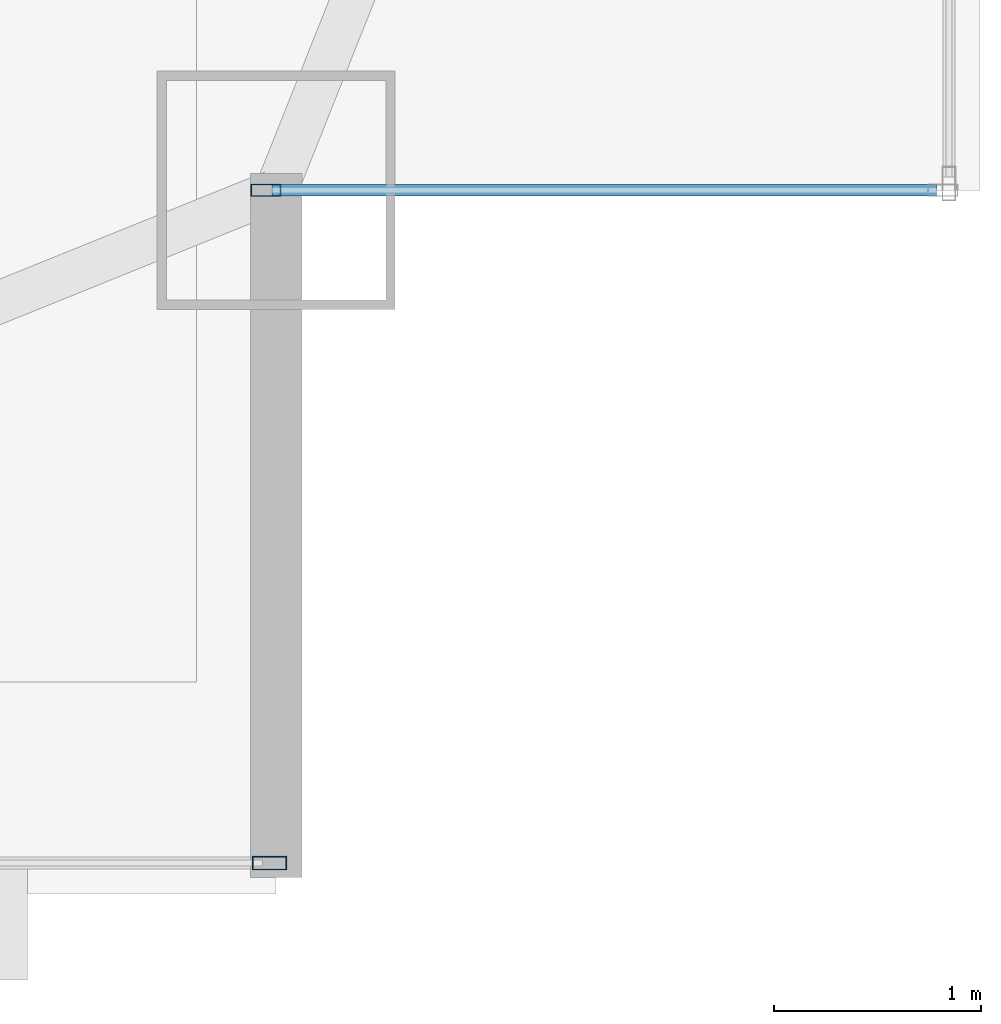
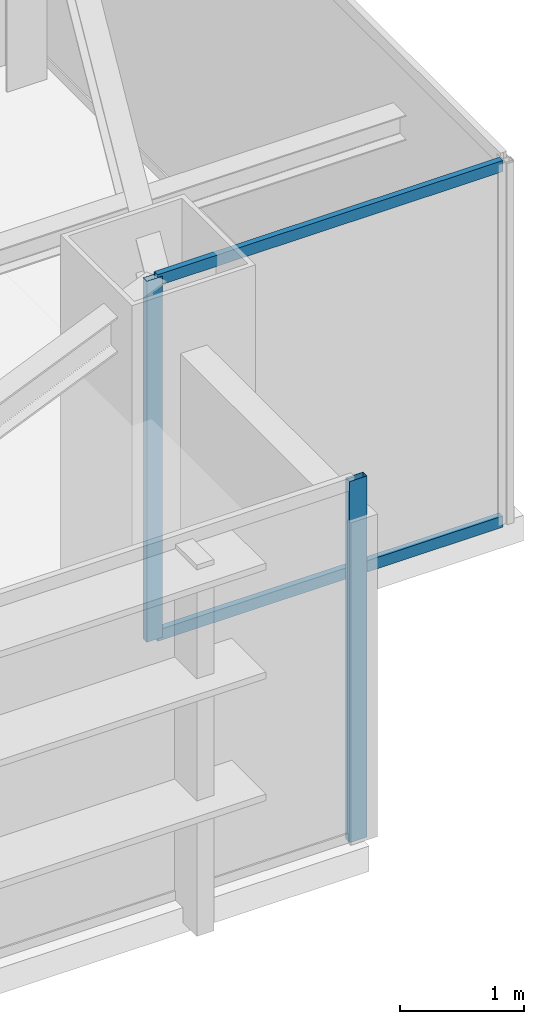
# One storey, part 12 of 27: 4 members, 2 elements without a shape of their own.
"""IFC4 building model written with IfcOpenShell, lengths in metres."""

from ifc_helpers import new_model, si_unit, direction, frame, origin, origin_2d, place, context, subcontext, project, spatial, hollow_rectangle, extrude, source, transform, mapped, material, layer, layer_set, material_profile, profile_set, type_object, type_shapes, element, aggregate, save


model = new_model("IFC4")

# Units and contexts
model_context = context("Model", 3, precision=1e-05, world=origin(), true_north=direction((0.0, 1.0)))
body_context = subcontext(model_context, "Body", "Model", "MODEL_VIEW")
ifc_project = project(units=[si_unit("LENGTHUNIT", "METRE"), si_unit("AREAUNIT", "SQUARE_METRE"), si_unit("VOLUMEUNIT", "CUBIC_METRE"), si_unit("PLANEANGLEUNIT", "RADIAN"), si_unit("MASSUNIT", "GRAM", prefix="KILO")], contexts=[model_context])

# Site, building, storey
site_placement = place(None, origin())
site = spatial("IfcSite", under=ifc_project, at=site_placement, CompositionType="ELEMENT")
building_placement = place(site_placement, origin())
building = spatial("IfcBuilding", under=site, at=building_placement, Name="Varnel Quay Broadcast Tower", CompositionType="ELEMENT")
storey_placement = place(building_placement, frame((0.0, 0.0, 243.199951171875)))
storey = spatial("IfcBuildingStorey", under=building, at=storey_placement, Name="L60", CompositionType="ELEMENT", Elevation=243.199951171875)

# Curtain wall, member
ifc_material = material(Name="Anodised Bronze Aluminium 6063-T6", Category="aluminium")
ifc_layer_1 = layer(ifc_material, 0.18994140625, Name="Anodised Bronze Aluminium 6063-T6")
ifc_layer_set_1 = layer_set([ifc_layer_1], Name="Anodised Bronze Aluminium 6063-T6")
curtain_wall_type_1 = type_object("IfcCurtainWallType", Name="CW_NotchCorner", PredefinedType="NOTDEFINED", material=ifc_layer_set_1)
curtain_wall_1_placement = place(storey_placement, origin())
curtain_wall_1 = element("IfcCurtainWall", 1, at=curtain_wall_1_placement, inside=storey, type_object=curtain_wall_type_1, Name="L60 SE Notch Curtain Wall", PredefinedType="NOTDEFINED")
ifc_material_profile_1 = material_profile(ifc_material, hollow_rectangle(XDim=0.06005859375, YDim=0.14501953125, WallThickness=0.00341796875, at=origin_2d()), Name="ALU60X145X3.5")
ifc_profile_set_1 = profile_set([ifc_material_profile_1], Name="Anodised Bronze Aluminium 6063-T6")
member_type_1 = type_object("IfcMemberType", Name="Mull_CWS-04", PredefinedType="MULLION", material=ifc_profile_set_1)
shared_shape_1 = source(origin(), body_context, "Body", "SweptSolid", [
    extrude(hollow_rectangle(XDim=0.06005859375, YDim=0.14501953125, WallThickness=0.00341796875, at=origin_2d()), origin(), (0.0, 0.0, 1.0), 3.550048828125),
])
type_shapes(member_type_1, [shared_shape_1])
member_1_placement = place(storey_placement, frame((55.050048828125, 13.60009765625, 0.0), z_axis=(0.0, 0.0, 1.0), x_axis=(0.0, 1.0, 0.0)))
member_1 = element("IfcMember", 2, at=member_1_placement, type_object=member_type_1, Name="CWS-04 mullion 1", PredefinedType="MULLION", context=body_context, shape_type="MappedRepresentation", body=[
    mapped(shared_shape_1, transform((0.0, 0.0, 0.0), x_axis=(1.0, 0.0, 0.0), y_axis=(0.0, 1.0, 0.0), z_axis=(0.0, 0.0, 1.0), scale=1.0)),
])

ifc_layer_2 = layer(ifc_material, 0.18994140625, Name="Anodised Bronze Aluminium 6063-T6")
ifc_layer_set_2 = layer_set([ifc_layer_2], Name="Anodised Bronze Aluminium 6063-T6")
curtain_wall_type_2 = type_object("IfcCurtainWallType", Name="CW_UpperTower", PredefinedType="NOTDEFINED", material=ifc_layer_set_2)
curtain_wall_2_placement = place(storey_placement, origin())
curtain_wall_2 = element("IfcCurtainWall", 3, at=curtain_wall_2_placement, inside=storey, type_object=curtain_wall_type_2, Name="L60 South Unitised Curtain Wall 1", PredefinedType="NOTDEFINED")
ifc_material_profile_2 = material_profile(ifc_material, hollow_rectangle(XDim=0.06494140625, YDim=0.1650390625, WallThickness=0.00341796875, at=origin_2d()), Name="ALU65X165X3.5")
ifc_profile_set_2 = profile_set([ifc_material_profile_2], Name="Anodised Bronze Aluminium 6063-T6")
member_type_2 = type_object("IfcMemberType", Name="Mull_CWS-03", PredefinedType="MULLION", material=ifc_profile_set_2)
shared_shape_2 = source(origin(), body_context, "Body", "SweptSolid", [
    extrude(hollow_rectangle(XDim=0.06494140625, YDim=0.1650390625, WallThickness=0.00341796875, at=origin_2d()), origin(), (0.0, 0.0, 1.0), 3.550048828125),
])
type_shapes(member_type_2, [shared_shape_2])
member_2_placement = place(storey_placement, frame((55.0673828125, 10.35009765625, 0.0), z_axis=(0.0, 0.0, 1.0), x_axis=(0.0, 1.0, 0.0)))
member_2 = element("IfcMember", 4, at=member_2_placement, type_object=member_type_2, Name="CWS-03 mullion 4", PredefinedType="MULLION", context=body_context, shape_type="MappedRepresentation", body=[
    mapped(shared_shape_2, transform((0.0, 0.0, 0.0), x_axis=(1.0, 0.0, 0.0), y_axis=(0.0, 1.0, 0.0), z_axis=(0.0, 0.0, 1.0), scale=1.0)),
])
aggregate(curtain_wall_2, [member_2])

# Member
ifc_material_profile_3 = material_profile(ifc_material, hollow_rectangle(XDim=0.054931640625, YDim=0.110107421875, WallThickness=0.0029296875, at=origin_2d()), Name="ALU55X110X3")
ifc_profile_set_3 = profile_set([ifc_material_profile_3], Name="Anodised Bronze Aluminium 6063-T6")
member_type_3 = type_object("IfcMemberType", Name="Tran_CWS-04", PredefinedType="USERDEFINED", material=ifc_profile_set_3)
shared_shape_3 = source(origin(), body_context, "Body", "SweptSolid", [
    extrude(hollow_rectangle(XDim=0.054931640625, YDim=0.110107421875, WallThickness=0.0029296875, at=origin_2d()), origin(), (0.0, 0.0, 1.0), 3.2099609375),
])
type_shapes(member_type_3, [shared_shape_3])
member_3_placement = place(storey_placement, frame((55.080078125, 13.60009765625, 0.027587890625), z_axis=(1.0, 0.0, 0.0), x_axis=(0.0, 1.0, 0.0)))
member_3 = element("IfcMember", 5, at=member_3_placement, type_object=member_type_3, Name="CWS-04 transom 1.1", ObjectType="TRANSOM", PredefinedType="USERDEFINED", context=body_context, shape_type="MappedRepresentation", body=[
    mapped(shared_shape_3, transform((0.0, 0.0, 0.0), x_axis=(1.0, 0.0, 0.0), y_axis=(0.0, 1.0, 0.0), z_axis=(0.0, 0.0, 1.0), scale=1.0)),
])

member_4_placement = place(storey_placement, frame((55.080078125, 13.60009765625, 3.5224609375), z_axis=(1.0, 0.0, 0.0), x_axis=(0.0, 1.0, 0.0)))
member_4 = element("IfcMember", 6, at=member_4_placement, type_object=member_type_3, Name="CWS-04 transom 1.2", ObjectType="TRANSOM", PredefinedType="USERDEFINED", context=body_context, shape_type="MappedRepresentation", body=[
    mapped(shared_shape_3, transform((0.0, 0.0, 0.0), x_axis=(1.0, 0.0, 0.0), y_axis=(0.0, 1.0, 0.0), z_axis=(0.0, 0.0, 1.0), scale=1.0)),
])

aggregate(curtain_wall_1, [member_1, member_3, member_4])

save(model, "model.ifc")
